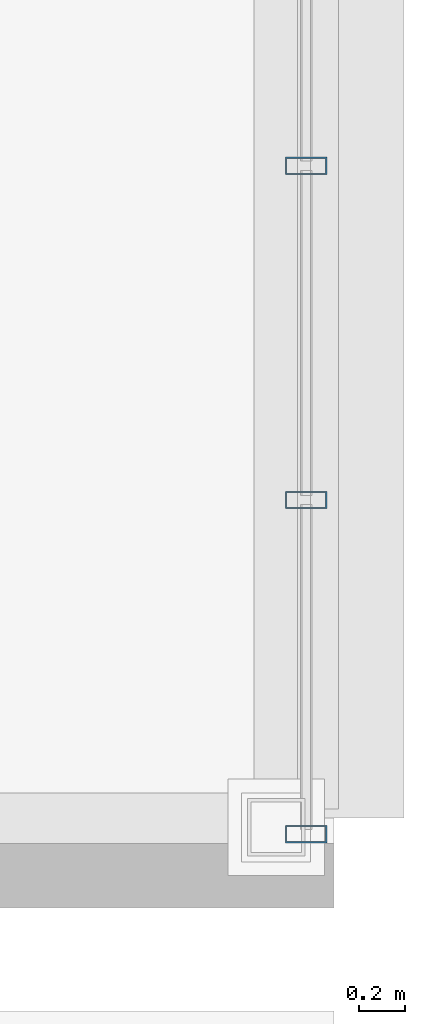
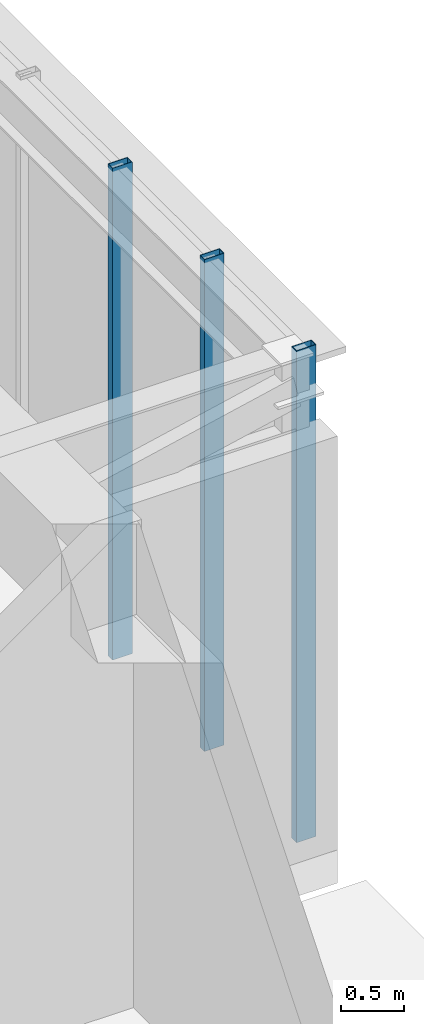
# One storey, part 12 of 26: 3 members, 1 element without a shape of its own.
"""IFC4 building model written with IfcOpenShell, lengths in metres."""

from ifc_helpers import new_model, si_unit, direction, frame, origin, origin_2d, place, context, subcontext, project, spatial, hollow_rectangle, extrude, material, material_profile, profile_set, type_object, element, aggregate, save


model = new_model("IFC4")

# Units and contexts
model_context = context("Model", 3, precision=1e-05, world=origin(), true_north=direction((0.0, 1.0)))
body_context = subcontext(model_context, "Body", "Model", "MODEL_VIEW")
ifc_project = project(units=[si_unit("LENGTHUNIT", "METRE"), si_unit("AREAUNIT", "SQUARE_METRE"), si_unit("VOLUMEUNIT", "CUBIC_METRE"), si_unit("PLANEANGLEUNIT", "RADIAN"), si_unit("MASSUNIT", "GRAM", prefix="KILO")], contexts=[model_context])

# Site, building, storey
site_placement = place(None, origin())
site = spatial("IfcSite", under=ifc_project, at=site_placement, CompositionType="ELEMENT")
building_placement = place(site_placement, origin())
building = spatial("IfcBuilding", under=site, at=building_placement, Name="Zulverin Broadcast Headquarters", CompositionType="ELEMENT")
storey_placement = place(building_placement, frame((0.0, 0.0, 15.0)))
storey = spatial("IfcBuildingStorey", under=building, at=storey_placement, Name="L03", CompositionType="ELEMENT", Elevation=15.0)

# Curtain wall, members
ifc_material_1 = material(Name="Acoustic triple-glazed studio box curtain wall", Category="aluminium")
curtain_wall_type = type_object("IfcCurtainWallType", Name="CW-SBOX", PredefinedType="USERDEFINED", material=ifc_material_1)
curtain_wall_placement = place(storey_placement, origin())
curtain_wall = element("IfcCurtainWall", 1, at=curtain_wall_placement, inside=storey, type_object=curtain_wall_type, Name="L03 Unitised Curtain Wall CW-L03-SBOX_POD_UPPER_E1-F", ObjectType="UNITISED CURTAIN WALL", PredefinedType="USERDEFINED")
ifc_material_2 = material(Name="Anodized pale-metal aluminium alloy 6063-T6", Category="aluminium")
ifc_material_profile = material_profile(ifc_material_2, hollow_rectangle(XDim=0.074951171875, YDim=0.179931640625, WallThickness=0.0048828125, at=origin_2d()), Name="Anodized pale-metal aluminium alloy 6063-T6", Category="aluminium")
ifc_profile_set = profile_set([ifc_material_profile], Name="Anodized pale-metal aluminium alloy 6063-T6")
member_type = type_object("IfcMemberType", Name="CW-MUL-180", PredefinedType="MULLION", material=ifc_profile_set)
member_1_placement = place(storey_placement, frame((76.080078125, 17.719970703125, -0.030029296875), z_axis=(0.0, 0.0, 1.0), x_axis=(0.0, 1.0, 0.0)))
member_1 = element("IfcMember", 2, at=member_1_placement, type_object=member_type, Name="CW-L03-SBOX_POD_UPPER_E1-F Mullion 00", PredefinedType="MULLION", context=body_context, shape_type="SweptSolid", body=[
    extrude(hollow_rectangle(XDim=0.074951171875, YDim=0.179931640625, WallThickness=0.0048828125, at=origin_2d()), origin(), (0.0, 0.0, 1.0), 4.739990234375),
])
member_2_placement = place(storey_placement, frame((76.080078125, 19.17138671875, -0.030029296875), z_axis=(0.0, 0.0, 1.0), x_axis=(0.0, 1.0, 0.0)))
member_2 = element("IfcMember", 3, at=member_2_placement, type_object=member_type, Name="CW-L03-SBOX_POD_UPPER_E1-F Mullion 01", PredefinedType="MULLION", context=body_context, shape_type="SweptSolid", body=[
    extrude(hollow_rectangle(XDim=0.074951171875, YDim=0.179931640625, WallThickness=0.0048828125, at=origin_2d()), origin(), (0.0, 0.0, 1.0), 4.739990234375),
])
member_3_placement = place(storey_placement, frame((76.080078125, 20.622802734375, -0.030029296875), z_axis=(0.0, 0.0, 1.0), x_axis=(0.0, 1.0, 0.0)))
member_3 = element("IfcMember", 4, at=member_3_placement, type_object=member_type, Name="CW-L03-SBOX_POD_UPPER_E1-F Mullion 02", PredefinedType="MULLION", context=body_context, shape_type="SweptSolid", body=[
    extrude(hollow_rectangle(XDim=0.074951171875, YDim=0.179931640625, WallThickness=0.0048828125, at=origin_2d()), origin(), (0.0, 0.0, 1.0), 4.739990234375),
])
aggregate(curtain_wall, [member_1, member_2, member_3])

save(model, "model.ifc")
